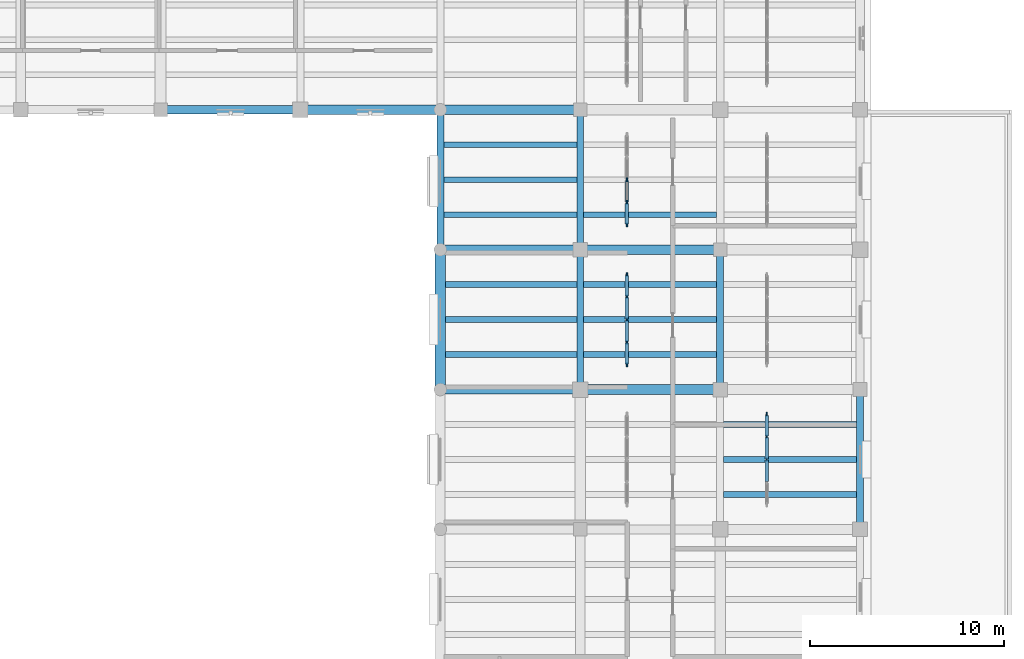
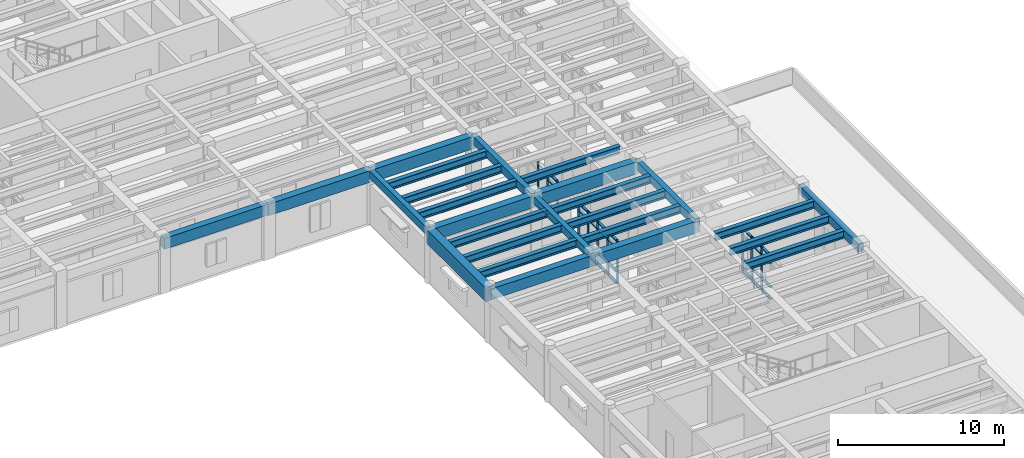
# One storey, part 28 of 76: 44 members, 26 beams, 3 elements without a shape of their own.
"""IFC4 building model written with IfcOpenShell, lengths in metres."""

from ifc_helpers import new_model, si_unit, direction, frame, origin, origin_2d, place, context, subcontext, project, spatial, rectangle, i_section, extrude, material, material_profile, profile_set, type_object, element, aggregate, save


model = new_model("IFC4")

# Units and contexts
model_context = context("Model", 3, precision=1e-05, world=origin(), true_north=direction((0.0, 1.0)))
body_context = subcontext(model_context, "Body", "Model", "MODEL_VIEW")
ifc_project = project(units=[si_unit("LENGTHUNIT", "METRE"), si_unit("AREAUNIT", "SQUARE_METRE"), si_unit("VOLUMEUNIT", "CUBIC_METRE"), si_unit("PLANEANGLEUNIT", "RADIAN"), si_unit("MASSUNIT", "GRAM", prefix="KILO")], contexts=[model_context])

# Site, building, storey
site_placement = place(None, origin())
site = spatial("IfcSite", under=ifc_project, at=site_placement, CompositionType="ELEMENT")
building_placement = place(site_placement, origin())
building = spatial("IfcBuilding", under=site, at=building_placement, Name="Mithqara Police Headquarters", CompositionType="ELEMENT")
storey_placement = place(building_placement, frame((0.0, 0.0, 5.39990234375)))
storey = spatial("IfcBuildingStorey", under=building, at=storey_placement, Name="L01", CompositionType="ELEMENT", Elevation=5.39990234375)

# Beams
ifc_material_1 = material(Name="Steel S355JR", Category="steel")
ifc_material_profile_1 = material_profile(ifc_material_1, i_section(OverallWidth=0.300048828125, OverallDepth=0.550048828125, WebThickness=0.014892578125, FlangeThickness=0.029052734375, FilletRadius=0.027099609375, at=origin_2d()), Name="HEB 550")
ifc_profile_set_1 = profile_set([ifc_material_profile_1], Name="Steel S355JR")
beam_type_1 = type_object("IfcBeamType", Name="BEAM HEB550", PredefinedType="BEAM", material=ifc_profile_set_1)
for number, where, z_axis, x_axis, name in (
    (1, (144.875, 66.0, 3.64501953125), (1.0, 0.0, 0.0), (0.0, 1.0, 0.0), "L01 Composite Steel Joist 21-22/K.1"),
    (2, (144.875, 67.800048828125, 3.64501953125), (1.0, 0.0, 0.0), (0.0, 1.0, 0.0), "L01 Composite Steel Joist 21-22/K.2"),
    (3, (144.875, 69.60009765625, 3.64501953125), (1.0, 0.0, 0.0), (0.0, 1.0, 0.0), "L01 Composite Steel Joist 21-22/K.3"),
):
    element("IfcBeam", number, at=place(storey_placement, frame(where, z_axis=z_axis, x_axis=x_axis)), inside=storey, type_object=beam_type_1, Name=name, PredefinedType="BEAM", context=body_context, shape_type="SweptSolid", body=[
        extrude(i_section(OverallWidth=0.300048828125, OverallDepth=0.550048828125, WebThickness=0.014892578125, FlangeThickness=0.029052734375, FilletRadius=0.027099609375, at=origin_2d()), origin(), (0.0, 0.0, 1.0), 6.75),
    ])
for number, where, z_axis, x_axis, name in (
    (4, (144.77490234375, 73.199951171875, 3.64501953125), (1.0, 0.0, 0.0), (0.0, 1.0, 0.0), "L01 Composite Steel Joist 21-22/L.1"),
    (5, (144.77490234375, 75.0, 3.64501953125), (1.0, 0.0, 0.0), (0.0, 1.0, 0.0), "L01 Composite Steel Joist 21-22/L.2"),
    (6, (144.77490234375, 76.800048828125, 3.64501953125), (1.0, 0.0, 0.0), (0.0, 1.0, 0.0), "L01 Composite Steel Joist 21-22/L.3"),
):
    element("IfcBeam", number, at=place(storey_placement, frame(where, z_axis=z_axis, x_axis=x_axis)), inside=storey, type_object=beam_type_1, Name=name, PredefinedType="BEAM", context=body_context, shape_type="SweptSolid", body=[
        extrude(i_section(OverallWidth=0.300048828125, OverallDepth=0.550048828125, WebThickness=0.014892578125, FlangeThickness=0.029052734375, FilletRadius=0.027099609375, at=origin_2d()), origin(), (0.0, 0.0, 1.0), 6.85009765625),
    ])
for number, where, z_axis, x_axis, name in (
    (7, (151.97509765625, 66.0, 3.64501953125), (1.0, 0.0, 0.0), (0.0, 1.0, 0.0), "L01 Composite Steel Joist 22-23/K.1"),
    (8, (151.97509765625, 67.800048828125, 3.64501953125), (1.0, 0.0, 0.0), (0.0, 1.0, 0.0), "L01 Composite Steel Joist 22-23/K.2"),
    (9, (151.97509765625, 69.60009765625, 3.64501953125), (1.0, 0.0, 0.0), (0.0, 1.0, 0.0), "L01 Composite Steel Joist 22-23/K.3"),
):
    element("IfcBeam", number, at=place(storey_placement, frame(where, z_axis=z_axis, x_axis=x_axis)), inside=storey, type_object=beam_type_1, Name=name, PredefinedType="BEAM", context=body_context, shape_type="SweptSolid", body=[
        extrude(i_section(OverallWidth=0.300048828125, OverallDepth=0.550048828125, WebThickness=0.014892578125, FlangeThickness=0.029052734375, FilletRadius=0.027099609375, at=origin_2d()), origin(), (0.0, 0.0, 1.0), 6.849853515625),
    ])
beam_1_placement = place(storey_placement, frame((151.97509765625, 73.199951171875, 3.64501953125), z_axis=(1.0, 0.0, 0.0), x_axis=(0.0, 1.0, 0.0)))
element("IfcBeam", 10, at=beam_1_placement, inside=storey, type_object=beam_type_1, Name="L01 Composite Steel Joist 22-23/L.1", PredefinedType="BEAM", context=body_context, shape_type="SweptSolid", body=[
    extrude(i_section(OverallWidth=0.300048828125, OverallDepth=0.550048828125, WebThickness=0.014892578125, FlangeThickness=0.029052734375, FilletRadius=0.027099609375, at=origin_2d()), origin(), (0.0, 0.0, 1.0), 6.824951171875),
])
for number, where, z_axis, x_axis, name in (
    (11, (159.175048828125, 58.800048828125, 3.64501953125), (1.0, 0.0, 0.0), (0.0, 1.0, 0.0), "L01 Composite Steel Joist 23-24/J.1"),
    (12, (159.175048828125, 60.60009765625, 3.64501953125), (1.0, 0.0, 0.0), (0.0, 1.0, 0.0), "L01 Composite Steel Joist 23-24/J.2"),
    (13, (159.175048828125, 62.39990234375, 3.64501953125), (1.0, 0.0, 0.0), (0.0, 1.0, 0.0), "L01 Composite Steel Joist 23-24/J.3"),
):
    element("IfcBeam", number, at=place(storey_placement, frame(where, z_axis=z_axis, x_axis=x_axis)), inside=storey, type_object=beam_type_1, Name=name, PredefinedType="BEAM", context=body_context, shape_type="SweptSolid", body=[
        extrude(i_section(OverallWidth=0.300048828125, OverallDepth=0.550048828125, WebThickness=0.014892578125, FlangeThickness=0.029052734375, FilletRadius=0.027099609375, at=origin_2d()), origin(), (0.0, 0.0, 1.0), 6.849853515625),
    ])
ifc_material_2 = material(Name="Concrete C40/50", Category="concrete")
ifc_material_profile_2 = material_profile(ifc_material_2, rectangle(XDim=0.35009765625, YDim=0.550048828125, at=origin_2d()), Name="RC 350x550")
ifc_profile_set_2 = profile_set([ifc_material_profile_2], Name="Concrete C40/50")
beam_type_2 = type_object("IfcBeamType", Name="BEAM RC350X550", PredefinedType="BEAM", material=ifc_profile_set_2)
beam_2_placement = place(storey_placement, frame((144.60009765625, 71.39990234375, 3.64501953125), z_axis=(0.0, 1.0, 0.0), x_axis=(-1.0, 0.0, 0.0)))
element("IfcBeam", 14, at=beam_2_placement, inside=storey, type_object=beam_type_2, Name="L01 Girder 21/L-M", PredefinedType="BEAM", context=body_context, shape_type="SweptSolid", body=[
    extrude(rectangle(XDim=0.35009765625, YDim=0.550048828125, at=origin_2d()), origin(), (0.0, 0.0, 1.0), 7.2001953125),
])
beam_3_placement = place(storey_placement, frame((151.800048828125, 64.199951171875, 3.64501953125), z_axis=(0.0, 1.0, 0.0), x_axis=(-1.0, 0.0, 0.0)))
element("IfcBeam", 15, at=beam_3_placement, inside=storey, type_object=beam_type_2, Name="L01 Girder 22/K-L", PredefinedType="BEAM", context=body_context, shape_type="SweptSolid", body=[
    extrude(rectangle(XDim=0.35009765625, YDim=0.550048828125, at=origin_2d()), origin(), (0.0, 0.0, 1.0), 7.199951171875),
])
ifc_material_profile_3 = material_profile(ifc_material_2, rectangle(XDim=0.35009765625, YDim=0.60009765625, at=origin_2d()), Name="RC 350x600")
ifc_profile_set_3 = profile_set([ifc_material_profile_3], Name="Concrete C40/50")
beam_type_3 = type_object("IfcBeamType", Name="BEAM RC350X600", PredefinedType="BEAM", material=ifc_profile_set_3)
beam_4_placement = place(storey_placement, frame((151.800048828125, 71.39990234375, 3.6201171875), z_axis=(0.0, 1.0, 0.0), x_axis=(-1.0, 0.0, 0.0)))
element("IfcBeam", 16, at=beam_4_placement, inside=storey, type_object=beam_type_3, Name="L01 Girder 22/L-M", PredefinedType="BEAM", context=body_context, shape_type="SweptSolid", body=[
    extrude(rectangle(XDim=0.35009765625, YDim=0.60009765625, at=origin_2d()), origin(), (0.0, 0.0, 1.0), 7.2001953125),
])
for number, where, z_axis, x_axis, name in (
    (17, (159.0, 64.199951171875, 3.6201171875), (0.0, 1.0, 0.0), (-1.0, 0.0, 0.0), "L01 Girder 23/K-L"),
    (18, (166.199951171875, 57.0, 3.6201171875), (0.0, 1.0, 0.0), (-1.0, 0.0, 0.0), "L01 Girder 24/J-K"),
):
    element("IfcBeam", number, at=place(storey_placement, frame(where, z_axis=z_axis, x_axis=x_axis)), inside=storey, type_object=beam_type_3, Name=name, PredefinedType="BEAM", context=body_context, shape_type="SweptSolid", body=[
        extrude(rectangle(XDim=0.35009765625, YDim=0.60009765625, at=origin_2d()), origin(), (0.0, 0.0, 1.0), 7.199951171875),
    ])
ifc_material_profile_4 = material_profile(ifc_material_2, rectangle(XDim=0.449951171875, YDim=0.800048828125, at=origin_2d()), Name="RC 450x800")
ifc_profile_set_4 = profile_set([ifc_material_profile_4], Name="Concrete C40/50")
beam_type_4 = type_object("IfcBeamType", Name="BEAM RC450X800", PredefinedType="BEAM", material=ifc_profile_set_4)
for number, where, z_axis, x_axis, name in (
    (19, (130.199951171875, 78.60009765625, 3.52001953125), (1.0, 0.0, 0.0), (0.0, 1.0, 0.0), "L01 Girder 19-20/M"),
    (20, (144.60009765625, 64.199951171875, 3.52001953125), (1.0, 0.0, 0.0), (0.0, 1.0, 0.0), "L01 Girder 21-22/K"),
):
    element("IfcBeam", number, at=place(storey_placement, frame(where, z_axis=z_axis, x_axis=x_axis)), inside=storey, type_object=beam_type_4, Name=name, PredefinedType="BEAM", context=body_context, shape_type="SweptSolid", body=[
        extrude(rectangle(XDim=0.449951171875, YDim=0.800048828125, at=origin_2d()), origin(), (0.0, 0.0, 1.0), 7.199951171875),
    ])
ifc_material_profile_5 = material_profile(ifc_material_2, rectangle(XDim=0.5, YDim=0.85009765625, at=origin_2d()), Name="RC 500x850")
ifc_profile_set_5 = profile_set([ifc_material_profile_5], Name="Concrete C40/50")
beam_type_5 = type_object("IfcBeamType", Name="BEAM RC500X850", PredefinedType="BEAM", material=ifc_profile_set_5)
beam_5_placement = place(storey_placement, frame((137.39990234375, 78.60009765625, 3.4951171875), z_axis=(1.0, 0.0, 0.0), x_axis=(0.0, 1.0, 0.0)))
element("IfcBeam", 21, at=beam_5_placement, inside=storey, type_object=beam_type_5, Name="L01 Girder 20-21/M", PredefinedType="BEAM", context=body_context, shape_type="SweptSolid", body=[
    extrude(rectangle(XDim=0.5, YDim=0.85009765625, at=origin_2d()), origin(), (0.0, 0.0, 1.0), 7.2001953125),
])
for number, where, z_axis, x_axis, name in (
    (22, (144.60009765625, 71.39990234375, 3.4951171875), (1.0, 0.0, 0.0), (0.0, 1.0, 0.0), "L01 Girder 21-22/L"),
    (23, (151.800048828125, 64.199951171875, 3.4951171875), (1.0, 0.0, 0.0), (0.0, 1.0, 0.0), "L01 Girder 22-23/K"),
):
    element("IfcBeam", number, at=place(storey_placement, frame(where, z_axis=z_axis, x_axis=x_axis)), inside=storey, type_object=beam_type_5, Name=name, PredefinedType="BEAM", context=body_context, shape_type="SweptSolid", body=[
        extrude(rectangle(XDim=0.5, YDim=0.85009765625, at=origin_2d()), origin(), (0.0, 0.0, 1.0), 7.199951171875),
    ])
ifc_material_3 = material(Name="Concrete C50/60", Category="concrete")
ifc_material_profile_6 = material_profile(ifc_material_3, rectangle(XDim=0.5, YDim=0.89990234375, at=origin_2d()), Name="RC 500x900")
ifc_profile_set_6 = profile_set([ifc_material_profile_6], Name="Concrete C50/60")
beam_type_6 = type_object("IfcBeamType", Name="BEAM RC500X900", PredefinedType="BEAM", material=ifc_profile_set_6)
for number, where, z_axis, x_axis, name in (
    (24, (144.60009765625, 78.60009765625, 3.47021484375), (1.0, 0.0, 0.0), (0.0, 1.0, 0.0), "L01 Girder 21-22/M"),
    (25, (151.800048828125, 71.39990234375, 3.47021484375), (1.0, 0.0, 0.0), (0.0, 1.0, 0.0), "L01 Girder 22-23/L"),
):
    element("IfcBeam", number, at=place(storey_placement, frame(where, z_axis=z_axis, x_axis=x_axis)), inside=storey, type_object=beam_type_6, Name=name, PredefinedType="BEAM", context=body_context, shape_type="SweptSolid", body=[
        extrude(rectangle(XDim=0.5, YDim=0.89990234375, at=origin_2d()), origin(), (0.0, 0.0, 1.0), 7.199951171875),
    ])
ifc_material_profile_7 = material_profile(ifc_material_3, rectangle(XDim=0.550048828125, YDim=1.0, at=origin_2d()), Name="RC 550x1000")
ifc_profile_set_7 = profile_set([ifc_material_profile_7], Name="Concrete C50/60")
beam_type_7 = type_object("IfcBeamType", Name="BEAM RC550X1000", PredefinedType="BEAM", material=ifc_profile_set_7)
beam_6_placement = place(storey_placement, frame((144.60009765625, 64.199951171875, 3.420166015625), z_axis=(0.0, 1.0, 0.0), x_axis=(-1.0, 0.0, 0.0)))
element("IfcBeam", 26, at=beam_6_placement, inside=storey, type_object=beam_type_7, Name="L01 Girder 21/K-L", PredefinedType="BEAM", context=body_context, shape_type="SweptSolid", body=[
    extrude(rectangle(XDim=0.550048828125, YDim=1.0, at=origin_2d()), origin(), (0.0, 0.0, 1.0), 7.199951171875),
])

# Curtain wall, members
ifc_material_4 = material(Name="Bronze anodised aluminium 6063-T6", Category="aluminium")
curtain_wall_type = type_object("IfcCurtainWallType", Name="CURTAIN WALL 4700X3200", PredefinedType="USERDEFINED", material=ifc_material_4)
curtain_wall_1_placement = place(storey_placement, origin())
curtain_wall_1 = element("IfcCurtainWall", 27, at=curtain_wall_1_placement, inside=storey, type_object=curtain_wall_type, Name="L01 Unitised Glazing CW-15 (CW-INT-L01-X21-Y09-0)", ObjectType="UNITISED GLAZING", PredefinedType="USERDEFINED")
ifc_material_profile_8 = material_profile(ifc_material_4, rectangle(XDim=0.074951171875, YDim=0.219970703125, at=origin_2d()), Name="CWM 75x220")
ifc_profile_set_8 = profile_set([ifc_material_profile_8], Name="Bronze anodised aluminium 6063-T6")
member_type_1 = type_object("IfcMemberType", Name="CWMULLION 75X220", PredefinedType="MULLION", material=ifc_profile_set_8)
member_1_placement = place(storey_placement, frame((154.199951171875, 65.487548828125, 0.0), z_axis=(0.0, 0.0, 1.0), x_axis=(-1.0, 0.0, 0.0)))
member_1 = element("IfcMember", 28, at=member_1_placement, type_object=member_type_1, Name="CW-15 mullion 1", PredefinedType="MULLION", context=body_context, shape_type="SweptSolid", body=[
    extrude(rectangle(XDim=0.074951171875, YDim=0.219970703125, at=origin_2d()), origin(), (0.0, 0.0, 1.0), 3.2001953125),
])
member_2_placement = place(storey_placement, frame((154.199951171875, 66.625, 0.0), z_axis=(0.0, 0.0, 1.0), x_axis=(-1.0, 0.0, 0.0)))
member_2 = element("IfcMember", 29, at=member_2_placement, type_object=member_type_1, Name="CW-15 mullion 2", PredefinedType="MULLION", context=body_context, shape_type="SweptSolid", body=[
    extrude(rectangle(XDim=0.074951171875, YDim=0.219970703125, at=origin_2d()), origin(), (0.0, 0.0, 1.0), 3.2001953125),
])
member_3_placement = place(storey_placement, frame((154.199951171875, 67.800048828125, 0.0), z_axis=(0.0, 0.0, 1.0), x_axis=(-1.0, 0.0, 0.0)))
member_3 = element("IfcMember", 30, at=member_3_placement, type_object=member_type_1, Name="CW-15 mullion 3", PredefinedType="MULLION", context=body_context, shape_type="SweptSolid", body=[
    extrude(rectangle(XDim=0.074951171875, YDim=0.219970703125, at=origin_2d()), origin(), (0.0, 0.0, 1.0), 3.2001953125),
])
member_4_placement = place(storey_placement, frame((154.199951171875, 68.97509765625, 0.0), z_axis=(0.0, 0.0, 1.0), x_axis=(-1.0, 0.0, 0.0)))
member_4 = element("IfcMember", 31, at=member_4_placement, type_object=member_type_1, Name="CW-15 mullion 4", PredefinedType="MULLION", context=body_context, shape_type="SweptSolid", body=[
    extrude(rectangle(XDim=0.074951171875, YDim=0.219970703125, at=origin_2d()), origin(), (0.0, 0.0, 1.0), 3.2001953125),
])
member_5_placement = place(storey_placement, frame((154.199951171875, 70.112548828125, 0.0), z_axis=(0.0, 0.0, 1.0), x_axis=(-1.0, 0.0, 0.0)))
member_5 = element("IfcMember", 32, at=member_5_placement, type_object=member_type_1, Name="CW-15 mullion 5", PredefinedType="MULLION", context=body_context, shape_type="SweptSolid", body=[
    extrude(rectangle(XDim=0.074951171875, YDim=0.219970703125, at=origin_2d()), origin(), (0.0, 0.0, 1.0), 3.2001953125),
])

curtain_wall_2_placement = place(storey_placement, origin())
curtain_wall_2 = element("IfcCurtainWall", 33, at=curtain_wall_2_placement, inside=storey, type_object=curtain_wall_type, Name="L01 Unitised Glazing CW-15 (CW-INT-L01-X21-Y10-0)", ObjectType="UNITISED GLAZING", PredefinedType="USERDEFINED")
member_6_placement = place(storey_placement, frame((154.199951171875, 72.6875, 0.0), z_axis=(0.0, 0.0, 1.0), x_axis=(-1.0, 0.0, 0.0)))
member_6 = element("IfcMember", 34, at=member_6_placement, type_object=member_type_1, Name="CW-15 mullion 1", PredefinedType="MULLION", context=body_context, shape_type="SweptSolid", body=[
    extrude(rectangle(XDim=0.074951171875, YDim=0.219970703125, at=origin_2d()), origin(), (0.0, 0.0, 1.0), 3.2001953125),
])
member_7_placement = place(storey_placement, frame((154.199951171875, 73.824951171875, 0.0), z_axis=(0.0, 0.0, 1.0), x_axis=(-1.0, 0.0, 0.0)))
member_7 = element("IfcMember", 35, at=member_7_placement, type_object=member_type_1, Name="CW-15 mullion 2", PredefinedType="MULLION", context=body_context, shape_type="SweptSolid", body=[
    extrude(rectangle(XDim=0.074951171875, YDim=0.219970703125, at=origin_2d()), origin(), (0.0, 0.0, 1.0), 3.2001953125),
])
member_8_placement = place(storey_placement, frame((154.199951171875, 75.0, 0.0), z_axis=(0.0, 0.0, 1.0), x_axis=(-1.0, 0.0, 0.0)))
member_8 = element("IfcMember", 36, at=member_8_placement, type_object=member_type_1, Name="CW-15 mullion 3", PredefinedType="MULLION", context=body_context, shape_type="SweptSolid", body=[
    extrude(rectangle(XDim=0.074951171875, YDim=0.219970703125, at=origin_2d()), origin(), (0.0, 0.0, 1.0), 3.2001953125),
])

curtain_wall_3_placement = place(storey_placement, origin())
curtain_wall_3 = element("IfcCurtainWall", 37, at=curtain_wall_3_placement, inside=storey, type_object=curtain_wall_type, Name="L01 Unitised Glazing CW-15 (CW-INT-L01-X22-Y08-0)", ObjectType="UNITISED GLAZING", PredefinedType="USERDEFINED")
member_9_placement = place(storey_placement, frame((161.39990234375, 60.60009765625, 0.0), z_axis=(0.0, 0.0, 1.0), x_axis=(-1.0, 0.0, 0.0)))
member_9 = element("IfcMember", 38, at=member_9_placement, type_object=member_type_1, Name="CW-15 mullion 3", PredefinedType="MULLION", context=body_context, shape_type="SweptSolid", body=[
    extrude(rectangle(XDim=0.074951171875, YDim=0.219970703125, at=origin_2d()), origin(), (0.0, 0.0, 1.0), 3.2001953125),
])
member_10_placement = place(storey_placement, frame((161.39990234375, 61.77490234375, 0.0), z_axis=(0.0, 0.0, 1.0), x_axis=(-1.0, 0.0, 0.0)))
member_10 = element("IfcMember", 39, at=member_10_placement, type_object=member_type_1, Name="CW-15 mullion 4", PredefinedType="MULLION", context=body_context, shape_type="SweptSolid", body=[
    extrude(rectangle(XDim=0.074951171875, YDim=0.219970703125, at=origin_2d()), origin(), (0.0, 0.0, 1.0), 3.2001953125),
])
member_11_placement = place(storey_placement, frame((161.39990234375, 62.91259765625, 0.0), z_axis=(0.0, 0.0, 1.0), x_axis=(-1.0, 0.0, 0.0)))
member_11 = element("IfcMember", 40, at=member_11_placement, type_object=member_type_1, Name="CW-15 mullion 5", PredefinedType="MULLION", context=body_context, shape_type="SweptSolid", body=[
    extrude(rectangle(XDim=0.074951171875, YDim=0.219970703125, at=origin_2d()), origin(), (0.0, 0.0, 1.0), 3.2001953125),
])

# Member
ifc_material_profile_9 = material_profile(ifc_material_4, rectangle(XDim=0.179931640625, YDim=0.074951171875, at=origin_2d()), Name="CWT 180x75")
ifc_profile_set_9 = profile_set([ifc_material_profile_9], Name="Bronze anodised aluminium 6063-T6")
member_type_2 = type_object("IfcMemberType", Name="CWTRANSOM 180X75", PredefinedType="USERDEFINED", material=ifc_profile_set_9)
member_12_placement = place(storey_placement, frame((154.199951171875, 65.52490234375, 0.03759765625), z_axis=(0.0, 1.0, 0.0), x_axis=(-1.0, 0.0, 0.0)))
member_12 = element("IfcMember", 41, at=member_12_placement, type_object=member_type_2, Name="CW-15 transom 1.1", ObjectType="TRANSOM", PredefinedType="USERDEFINED", context=body_context, shape_type="SweptSolid", body=[
    extrude(rectangle(XDim=0.179931640625, YDim=0.074951171875, at=origin_2d()), origin(), (0.0, 0.0, 1.0), 1.0625),
])

member_13_placement = place(storey_placement, frame((154.199951171875, 65.52490234375, 0.900146484375), z_axis=(0.0, 1.0, 0.0), x_axis=(-1.0, 0.0, 0.0)))
member_13 = element("IfcMember", 42, at=member_13_placement, type_object=member_type_2, Name="CW-15 transom 1.2", ObjectType="TRANSOM", PredefinedType="USERDEFINED", context=body_context, shape_type="SweptSolid", body=[
    extrude(rectangle(XDim=0.179931640625, YDim=0.074951171875, at=origin_2d()), origin(), (0.0, 0.0, 1.0), 1.0625),
])

member_14_placement = place(storey_placement, frame((154.199951171875, 65.52490234375, 2.650146484375), z_axis=(0.0, 1.0, 0.0), x_axis=(-1.0, 0.0, 0.0)))
member_14 = element("IfcMember", 43, at=member_14_placement, type_object=member_type_2, Name="CW-15 transom 1.3", ObjectType="TRANSOM", PredefinedType="USERDEFINED", context=body_context, shape_type="SweptSolid", body=[
    extrude(rectangle(XDim=0.179931640625, YDim=0.074951171875, at=origin_2d()), origin(), (0.0, 0.0, 1.0), 1.0625),
])

member_15_placement = place(storey_placement, frame((154.199951171875, 65.52490234375, 3.16259765625), z_axis=(0.0, 1.0, 0.0), x_axis=(-1.0, 0.0, 0.0)))
member_15 = element("IfcMember", 44, at=member_15_placement, type_object=member_type_2, Name="CW-15 transom 1.4", ObjectType="TRANSOM", PredefinedType="USERDEFINED", context=body_context, shape_type="SweptSolid", body=[
    extrude(rectangle(XDim=0.179931640625, YDim=0.074951171875, at=origin_2d()), origin(), (0.0, 0.0, 1.0), 1.0625),
])

member_16_placement = place(storey_placement, frame((154.199951171875, 66.66259765625, 0.03759765625), z_axis=(0.0, 1.0, 0.0), x_axis=(-1.0, 0.0, 0.0)))
member_16 = element("IfcMember", 45, at=member_16_placement, type_object=member_type_2, Name="CW-15 transom 2.1", ObjectType="TRANSOM", PredefinedType="USERDEFINED", context=body_context, shape_type="SweptSolid", body=[
    extrude(rectangle(XDim=0.179931640625, YDim=0.074951171875, at=origin_2d()), origin(), (0.0, 0.0, 1.0), 1.099853515625),
])

member_17_placement = place(storey_placement, frame((154.199951171875, 66.66259765625, 0.900146484375), z_axis=(0.0, 1.0, 0.0), x_axis=(-1.0, 0.0, 0.0)))
member_17 = element("IfcMember", 46, at=member_17_placement, type_object=member_type_2, Name="CW-15 transom 2.2", ObjectType="TRANSOM", PredefinedType="USERDEFINED", context=body_context, shape_type="SweptSolid", body=[
    extrude(rectangle(XDim=0.179931640625, YDim=0.074951171875, at=origin_2d()), origin(), (0.0, 0.0, 1.0), 1.099853515625),
])

member_18_placement = place(storey_placement, frame((154.199951171875, 66.66259765625, 2.650146484375), z_axis=(0.0, 1.0, 0.0), x_axis=(-1.0, 0.0, 0.0)))
member_18 = element("IfcMember", 47, at=member_18_placement, type_object=member_type_2, Name="CW-15 transom 2.3", ObjectType="TRANSOM", PredefinedType="USERDEFINED", context=body_context, shape_type="SweptSolid", body=[
    extrude(rectangle(XDim=0.179931640625, YDim=0.074951171875, at=origin_2d()), origin(), (0.0, 0.0, 1.0), 1.099853515625),
])

member_19_placement = place(storey_placement, frame((154.199951171875, 66.66259765625, 3.16259765625), z_axis=(0.0, 1.0, 0.0), x_axis=(-1.0, 0.0, 0.0)))
member_19 = element("IfcMember", 48, at=member_19_placement, type_object=member_type_2, Name="CW-15 transom 2.4", ObjectType="TRANSOM", PredefinedType="USERDEFINED", context=body_context, shape_type="SweptSolid", body=[
    extrude(rectangle(XDim=0.179931640625, YDim=0.074951171875, at=origin_2d()), origin(), (0.0, 0.0, 1.0), 1.099853515625),
])

member_20_placement = place(storey_placement, frame((154.199951171875, 67.83740234375, 0.03759765625), z_axis=(0.0, 1.0, 0.0), x_axis=(-1.0, 0.0, 0.0)))
member_20 = element("IfcMember", 49, at=member_20_placement, type_object=member_type_2, Name="CW-15 transom 3.1", ObjectType="TRANSOM", PredefinedType="USERDEFINED", context=body_context, shape_type="SweptSolid", body=[
    extrude(rectangle(XDim=0.179931640625, YDim=0.074951171875, at=origin_2d()), origin(), (0.0, 0.0, 1.0), 1.10009765625),
])

member_21_placement = place(storey_placement, frame((154.199951171875, 67.83740234375, 0.900146484375), z_axis=(0.0, 1.0, 0.0), x_axis=(-1.0, 0.0, 0.0)))
member_21 = element("IfcMember", 50, at=member_21_placement, type_object=member_type_2, Name="CW-15 transom 3.2", ObjectType="TRANSOM", PredefinedType="USERDEFINED", context=body_context, shape_type="SweptSolid", body=[
    extrude(rectangle(XDim=0.179931640625, YDim=0.074951171875, at=origin_2d()), origin(), (0.0, 0.0, 1.0), 1.10009765625),
])

member_22_placement = place(storey_placement, frame((154.199951171875, 67.83740234375, 2.650146484375), z_axis=(0.0, 1.0, 0.0), x_axis=(-1.0, 0.0, 0.0)))
member_22 = element("IfcMember", 51, at=member_22_placement, type_object=member_type_2, Name="CW-15 transom 3.3", ObjectType="TRANSOM", PredefinedType="USERDEFINED", context=body_context, shape_type="SweptSolid", body=[
    extrude(rectangle(XDim=0.179931640625, YDim=0.074951171875, at=origin_2d()), origin(), (0.0, 0.0, 1.0), 1.10009765625),
])

member_23_placement = place(storey_placement, frame((154.199951171875, 67.83740234375, 3.16259765625), z_axis=(0.0, 1.0, 0.0), x_axis=(-1.0, 0.0, 0.0)))
member_23 = element("IfcMember", 52, at=member_23_placement, type_object=member_type_2, Name="CW-15 transom 3.4", ObjectType="TRANSOM", PredefinedType="USERDEFINED", context=body_context, shape_type="SweptSolid", body=[
    extrude(rectangle(XDim=0.179931640625, YDim=0.074951171875, at=origin_2d()), origin(), (0.0, 0.0, 1.0), 1.10009765625),
])

member_24_placement = place(storey_placement, frame((154.199951171875, 69.012451171875, 0.03759765625), z_axis=(0.0, 1.0, 0.0), x_axis=(-1.0, 0.0, 0.0)))
member_24 = element("IfcMember", 53, at=member_24_placement, type_object=member_type_2, Name="CW-15 transom 4.1", ObjectType="TRANSOM", PredefinedType="USERDEFINED", context=body_context, shape_type="SweptSolid", body=[
    extrude(rectangle(XDim=0.179931640625, YDim=0.074951171875, at=origin_2d()), origin(), (0.0, 0.0, 1.0), 1.0625),
])

member_25_placement = place(storey_placement, frame((154.199951171875, 69.012451171875, 0.900146484375), z_axis=(0.0, 1.0, 0.0), x_axis=(-1.0, 0.0, 0.0)))
member_25 = element("IfcMember", 54, at=member_25_placement, type_object=member_type_2, Name="CW-15 transom 4.2", ObjectType="TRANSOM", PredefinedType="USERDEFINED", context=body_context, shape_type="SweptSolid", body=[
    extrude(rectangle(XDim=0.179931640625, YDim=0.074951171875, at=origin_2d()), origin(), (0.0, 0.0, 1.0), 1.0625),
])

member_26_placement = place(storey_placement, frame((154.199951171875, 69.012451171875, 2.650146484375), z_axis=(0.0, 1.0, 0.0), x_axis=(-1.0, 0.0, 0.0)))
member_26 = element("IfcMember", 55, at=member_26_placement, type_object=member_type_2, Name="CW-15 transom 4.3", ObjectType="TRANSOM", PredefinedType="USERDEFINED", context=body_context, shape_type="SweptSolid", body=[
    extrude(rectangle(XDim=0.179931640625, YDim=0.074951171875, at=origin_2d()), origin(), (0.0, 0.0, 1.0), 1.0625),
])

member_27_placement = place(storey_placement, frame((154.199951171875, 69.012451171875, 3.16259765625), z_axis=(0.0, 1.0, 0.0), x_axis=(-1.0, 0.0, 0.0)))
member_27 = element("IfcMember", 56, at=member_27_placement, type_object=member_type_2, Name="CW-15 transom 4.4", ObjectType="TRANSOM", PredefinedType="USERDEFINED", context=body_context, shape_type="SweptSolid", body=[
    extrude(rectangle(XDim=0.179931640625, YDim=0.074951171875, at=origin_2d()), origin(), (0.0, 0.0, 1.0), 1.0625),
])

aggregate(curtain_wall_1, [member_1, member_2, member_3, member_4, member_5, member_12, member_13, member_14, member_15, member_16, member_17, member_18, member_19, member_20, member_21, member_22, member_23, member_24, member_25, member_26, member_27])

member_28_placement = place(storey_placement, frame((154.199951171875, 72.72509765625, 0.03759765625), z_axis=(0.0, 1.0, 0.0), x_axis=(-1.0, 0.0, 0.0)))
member_28 = element("IfcMember", 57, at=member_28_placement, type_object=member_type_2, Name="CW-15 transom 1.1", ObjectType="TRANSOM", PredefinedType="USERDEFINED", context=body_context, shape_type="SweptSolid", body=[
    extrude(rectangle(XDim=0.179931640625, YDim=0.074951171875, at=origin_2d()), origin(), (0.0, 0.0, 1.0), 1.0625),
])

member_29_placement = place(storey_placement, frame((154.199951171875, 72.72509765625, 0.900146484375), z_axis=(0.0, 1.0, 0.0), x_axis=(-1.0, 0.0, 0.0)))
member_29 = element("IfcMember", 58, at=member_29_placement, type_object=member_type_2, Name="CW-15 transom 1.2", ObjectType="TRANSOM", PredefinedType="USERDEFINED", context=body_context, shape_type="SweptSolid", body=[
    extrude(rectangle(XDim=0.179931640625, YDim=0.074951171875, at=origin_2d()), origin(), (0.0, 0.0, 1.0), 1.0625),
])

member_30_placement = place(storey_placement, frame((154.199951171875, 72.72509765625, 2.650146484375), z_axis=(0.0, 1.0, 0.0), x_axis=(-1.0, 0.0, 0.0)))
member_30 = element("IfcMember", 59, at=member_30_placement, type_object=member_type_2, Name="CW-15 transom 1.3", ObjectType="TRANSOM", PredefinedType="USERDEFINED", context=body_context, shape_type="SweptSolid", body=[
    extrude(rectangle(XDim=0.179931640625, YDim=0.074951171875, at=origin_2d()), origin(), (0.0, 0.0, 1.0), 1.0625),
])

member_31_placement = place(storey_placement, frame((154.199951171875, 72.72509765625, 3.16259765625), z_axis=(0.0, 1.0, 0.0), x_axis=(-1.0, 0.0, 0.0)))
member_31 = element("IfcMember", 60, at=member_31_placement, type_object=member_type_2, Name="CW-15 transom 1.4", ObjectType="TRANSOM", PredefinedType="USERDEFINED", context=body_context, shape_type="SweptSolid", body=[
    extrude(rectangle(XDim=0.179931640625, YDim=0.074951171875, at=origin_2d()), origin(), (0.0, 0.0, 1.0), 1.0625),
])

member_32_placement = place(storey_placement, frame((154.199951171875, 73.862548828125, 0.03759765625), z_axis=(0.0, 1.0, 0.0), x_axis=(-1.0, 0.0, 0.0)))
member_32 = element("IfcMember", 61, at=member_32_placement, type_object=member_type_2, Name="CW-15 transom 2.1", ObjectType="TRANSOM", PredefinedType="USERDEFINED", context=body_context, shape_type="SweptSolid", body=[
    extrude(rectangle(XDim=0.179931640625, YDim=0.074951171875, at=origin_2d()), origin(), (0.0, 0.0, 1.0), 1.099853515625),
])

aggregate(curtain_wall_2, [member_6, member_7, member_8, member_28, member_29, member_30, member_31, member_32])

member_33_placement = place(storey_placement, frame((161.39990234375, 59.46240234375, 0.03759765625), z_axis=(0.0, 1.0, 0.0), x_axis=(-1.0, 0.0, 0.0)))
member_33 = element("IfcMember", 62, at=member_33_placement, type_object=member_type_2, Name="CW-15 transom 2.1", ObjectType="TRANSOM", PredefinedType="USERDEFINED", context=body_context, shape_type="SweptSolid", body=[
    extrude(rectangle(XDim=0.179931640625, YDim=0.074951171875, at=origin_2d()), origin(), (0.0, 0.0, 1.0), 1.10009765625),
])

member_34_placement = place(storey_placement, frame((161.39990234375, 59.46240234375, 0.900146484375), z_axis=(0.0, 1.0, 0.0), x_axis=(-1.0, 0.0, 0.0)))
member_34 = element("IfcMember", 63, at=member_34_placement, type_object=member_type_2, Name="CW-15 transom 2.2", ObjectType="TRANSOM", PredefinedType="USERDEFINED", context=body_context, shape_type="SweptSolid", body=[
    extrude(rectangle(XDim=0.179931640625, YDim=0.074951171875, at=origin_2d()), origin(), (0.0, 0.0, 1.0), 1.10009765625),
])

member_35_placement = place(storey_placement, frame((161.39990234375, 59.46240234375, 2.650146484375), z_axis=(0.0, 1.0, 0.0), x_axis=(-1.0, 0.0, 0.0)))
member_35 = element("IfcMember", 64, at=member_35_placement, type_object=member_type_2, Name="CW-15 transom 2.3", ObjectType="TRANSOM", PredefinedType="USERDEFINED", context=body_context, shape_type="SweptSolid", body=[
    extrude(rectangle(XDim=0.179931640625, YDim=0.074951171875, at=origin_2d()), origin(), (0.0, 0.0, 1.0), 1.10009765625),
])

member_36_placement = place(storey_placement, frame((161.39990234375, 59.46240234375, 3.16259765625), z_axis=(0.0, 1.0, 0.0), x_axis=(-1.0, 0.0, 0.0)))
member_36 = element("IfcMember", 65, at=member_36_placement, type_object=member_type_2, Name="CW-15 transom 2.4", ObjectType="TRANSOM", PredefinedType="USERDEFINED", context=body_context, shape_type="SweptSolid", body=[
    extrude(rectangle(XDim=0.179931640625, YDim=0.074951171875, at=origin_2d()), origin(), (0.0, 0.0, 1.0), 1.10009765625),
])

member_37_placement = place(storey_placement, frame((161.39990234375, 60.637451171875, 0.03759765625), z_axis=(0.0, 1.0, 0.0), x_axis=(-1.0, 0.0, 0.0)))
member_37 = element("IfcMember", 66, at=member_37_placement, type_object=member_type_2, Name="CW-15 transom 3.1", ObjectType="TRANSOM", PredefinedType="USERDEFINED", context=body_context, shape_type="SweptSolid", body=[
    extrude(rectangle(XDim=0.179931640625, YDim=0.074951171875, at=origin_2d()), origin(), (0.0, 0.0, 1.0), 1.10009765625),
])

member_38_placement = place(storey_placement, frame((161.39990234375, 60.637451171875, 0.900146484375), z_axis=(0.0, 1.0, 0.0), x_axis=(-1.0, 0.0, 0.0)))
member_38 = element("IfcMember", 67, at=member_38_placement, type_object=member_type_2, Name="CW-15 transom 3.2", ObjectType="TRANSOM", PredefinedType="USERDEFINED", context=body_context, shape_type="SweptSolid", body=[
    extrude(rectangle(XDim=0.179931640625, YDim=0.074951171875, at=origin_2d()), origin(), (0.0, 0.0, 1.0), 1.10009765625),
])

member_39_placement = place(storey_placement, frame((161.39990234375, 60.637451171875, 2.650146484375), z_axis=(0.0, 1.0, 0.0), x_axis=(-1.0, 0.0, 0.0)))
member_39 = element("IfcMember", 68, at=member_39_placement, type_object=member_type_2, Name="CW-15 transom 3.3", ObjectType="TRANSOM", PredefinedType="USERDEFINED", context=body_context, shape_type="SweptSolid", body=[
    extrude(rectangle(XDim=0.179931640625, YDim=0.074951171875, at=origin_2d()), origin(), (0.0, 0.0, 1.0), 1.10009765625),
])

member_40_placement = place(storey_placement, frame((161.39990234375, 60.637451171875, 3.16259765625), z_axis=(0.0, 1.0, 0.0), x_axis=(-1.0, 0.0, 0.0)))
member_40 = element("IfcMember", 69, at=member_40_placement, type_object=member_type_2, Name="CW-15 transom 3.4", ObjectType="TRANSOM", PredefinedType="USERDEFINED", context=body_context, shape_type="SweptSolid", body=[
    extrude(rectangle(XDim=0.179931640625, YDim=0.074951171875, at=origin_2d()), origin(), (0.0, 0.0, 1.0), 1.10009765625),
])

member_41_placement = place(storey_placement, frame((161.39990234375, 61.8125, 0.03759765625), z_axis=(0.0, 1.0, 0.0), x_axis=(-1.0, 0.0, 0.0)))
member_41 = element("IfcMember", 70, at=member_41_placement, type_object=member_type_2, Name="CW-15 transom 4.1", ObjectType="TRANSOM", PredefinedType="USERDEFINED", context=body_context, shape_type="SweptSolid", body=[
    extrude(rectangle(XDim=0.179931640625, YDim=0.074951171875, at=origin_2d()), origin(), (0.0, 0.0, 1.0), 1.0625),
])

member_42_placement = place(storey_placement, frame((161.39990234375, 61.8125, 0.900146484375), z_axis=(0.0, 1.0, 0.0), x_axis=(-1.0, 0.0, 0.0)))
member_42 = element("IfcMember", 71, at=member_42_placement, type_object=member_type_2, Name="CW-15 transom 4.2", ObjectType="TRANSOM", PredefinedType="USERDEFINED", context=body_context, shape_type="SweptSolid", body=[
    extrude(rectangle(XDim=0.179931640625, YDim=0.074951171875, at=origin_2d()), origin(), (0.0, 0.0, 1.0), 1.0625),
])

member_43_placement = place(storey_placement, frame((161.39990234375, 61.8125, 2.650146484375), z_axis=(0.0, 1.0, 0.0), x_axis=(-1.0, 0.0, 0.0)))
member_43 = element("IfcMember", 72, at=member_43_placement, type_object=member_type_2, Name="CW-15 transom 4.3", ObjectType="TRANSOM", PredefinedType="USERDEFINED", context=body_context, shape_type="SweptSolid", body=[
    extrude(rectangle(XDim=0.179931640625, YDim=0.074951171875, at=origin_2d()), origin(), (0.0, 0.0, 1.0), 1.0625),
])

member_44_placement = place(storey_placement, frame((161.39990234375, 61.8125, 3.16259765625), z_axis=(0.0, 1.0, 0.0), x_axis=(-1.0, 0.0, 0.0)))
member_44 = element("IfcMember", 73, at=member_44_placement, type_object=member_type_2, Name="CW-15 transom 4.4", ObjectType="TRANSOM", PredefinedType="USERDEFINED", context=body_context, shape_type="SweptSolid", body=[
    extrude(rectangle(XDim=0.179931640625, YDim=0.074951171875, at=origin_2d()), origin(), (0.0, 0.0, 1.0), 1.0625),
])

aggregate(curtain_wall_3, [member_9, member_10, member_11, member_33, member_34, member_35, member_36, member_37, member_38, member_39, member_40, member_41, member_42, member_43, member_44])

save(model, "model.ifc")
